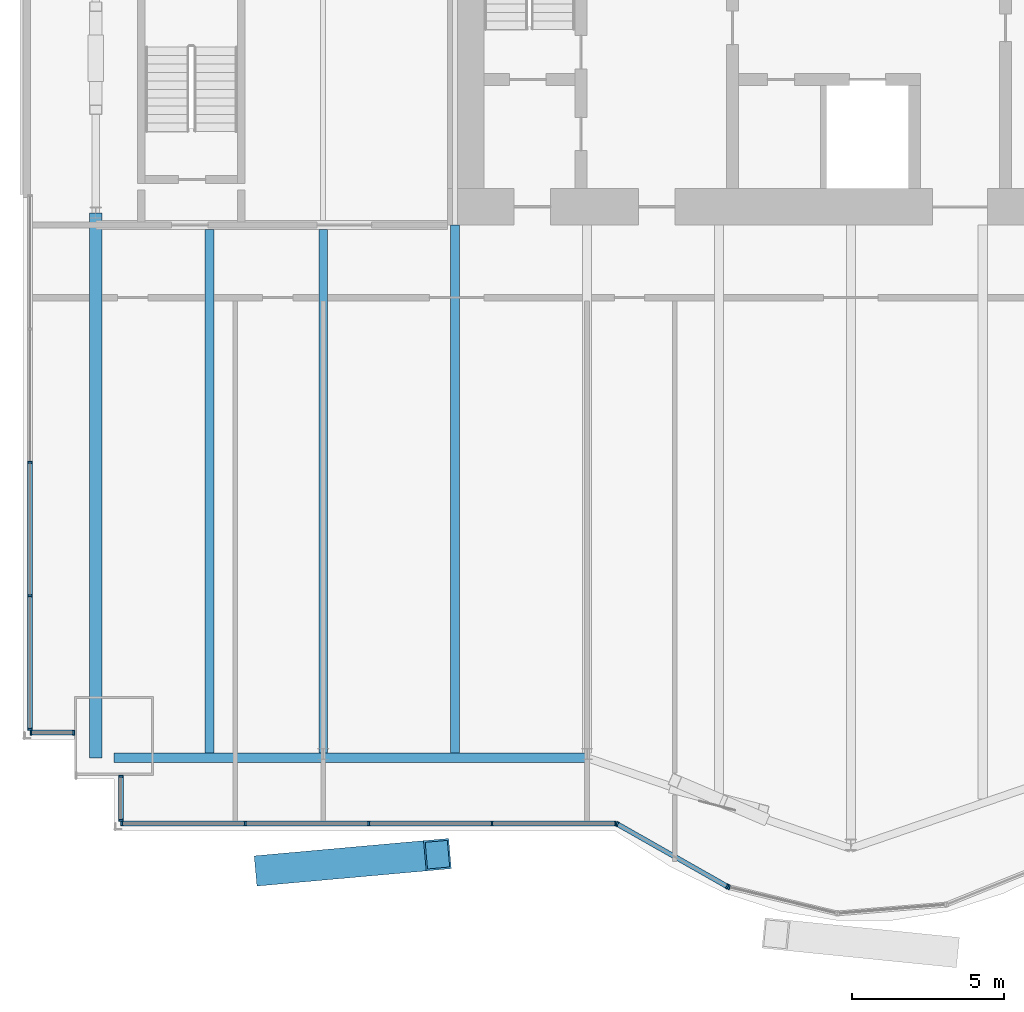
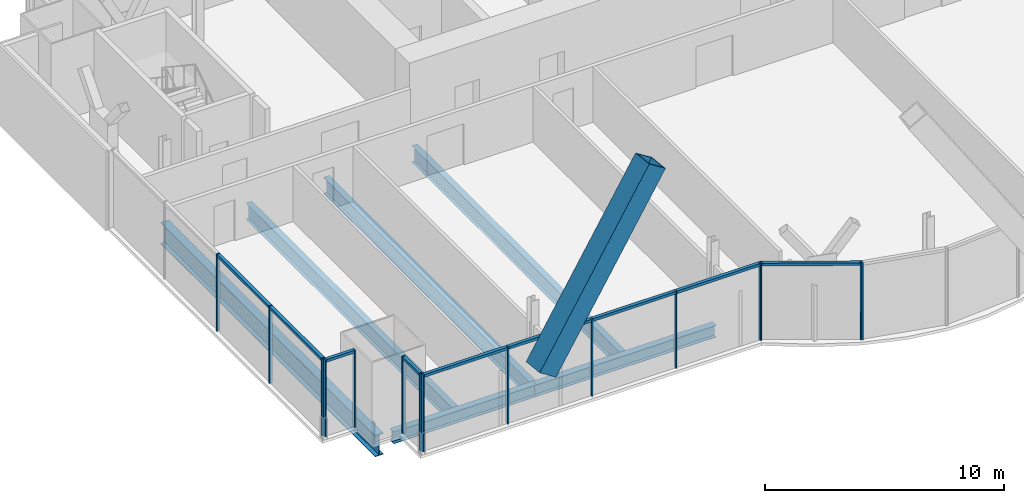
# One storey, part 5 of 21: 25 members, 6 beams, 5 elements without a shape of their own.
"""IFC4 building model written with IfcOpenShell, lengths in metres."""

from ifc_helpers import new_model, si_unit, direction, frame, origin, origin_2d, place, context, subcontext, project, spatial, rectangle, hollow_rectangle, i_section, extrude, material, material_profile, profile_set, type_object, element, aggregate, save


model = new_model("IFC4")

# Units and contexts
model_context = context("Model", 3, precision=1e-05, world=origin(), true_north=direction((0.0, 1.0)))
body_context = subcontext(model_context, "Body", "Model", "MODEL_VIEW")
ifc_project = project(units=[si_unit("LENGTHUNIT", "METRE"), si_unit("AREAUNIT", "SQUARE_METRE"), si_unit("VOLUMEUNIT", "CUBIC_METRE"), si_unit("PLANEANGLEUNIT", "RADIAN"), si_unit("MASSUNIT", "GRAM", prefix="KILO")], contexts=[model_context])

# Site, building, storey
site_placement = place(None, origin())
site = spatial("IfcSite", under=ifc_project, at=site_placement, CompositionType="ELEMENT")
building_placement = place(site_placement, origin())
building = spatial("IfcBuilding", under=site, at=building_placement, Name="Bicima Exchange Tower", CompositionType="ELEMENT")
storey_placement = place(building_placement, frame((0.0, 0.0, 195.0)))
storey = spatial("IfcBuildingStorey", under=building, at=storey_placement, Name="L43", CompositionType="ELEMENT", Elevation=195.0)

# Curtain wall, members
ifc_material_1 = material(Name="Anodised bronze aluminium", Category="aluminium")
curtain_wall_type_1 = type_object("IfcCurtainWallType", Name="End face glass wall", PredefinedType="NOTDEFINED", material=ifc_material_1)
curtain_wall_1_placement = place(storey_placement, origin())
curtain_wall_1 = element("IfcCurtainWall", 1, at=curtain_wall_1_placement, inside=storey, type_object=curtain_wall_type_1, Name="End face glass wall L43 run 2", PredefinedType="NOTDEFINED")
ifc_material_profile_1 = material_profile(ifc_material_1, rectangle(XDim=0.159912109375, YDim=0.06005859375, at=origin_2d()))
ifc_profile_set_1 = profile_set([ifc_material_profile_1], Name="Anodised bronze aluminium")
member_type_1 = type_object("IfcMemberType", Name="End face glass wall mullion 60 x 160", PredefinedType="MULLION", material=ifc_profile_set_1)
member_1_placement = place(storey_placement, frame((-35.77001953125, -20.8310546875, 0.0), z_axis=(0.0, 0.0, 1.0), x_axis=(1.0, 0.0, 0.0)))
member_1 = element("IfcMember", 2, at=member_1_placement, type_object=member_type_1, Name="End face glass wall mullion 3", PredefinedType="MULLION", context=body_context, shape_type="SweptSolid", body=[
    extrude(rectangle(XDim=0.159912109375, YDim=0.06005859375, at=origin_2d()), origin(), (0.0, 0.0, 1.0), 3.949951171875),
])
member_2_placement = place(storey_placement, frame((-35.77001953125, -25.2314453125, 0.0), z_axis=(0.0, 0.0, 1.0), x_axis=(1.0, 0.0, 0.0)))
member_2 = element("IfcMember", 3, at=member_2_placement, type_object=member_type_1, Name="End face glass wall mullion 4", PredefinedType="MULLION", context=body_context, shape_type="SweptSolid", body=[
    extrude(rectangle(XDim=0.159912109375, YDim=0.06005859375, at=origin_2d()), origin(), (0.0, 0.0, 1.0), 3.949951171875),
])
member_3_placement = place(storey_placement, frame((-35.77001953125, -29.632080078125, 0.0), z_axis=(0.0, 0.0, 1.0), x_axis=(1.0, 0.0, 0.0)))
member_3 = element("IfcMember", 4, at=member_3_placement, type_object=member_type_1, Name="End face glass wall mullion 5", PredefinedType="MULLION", context=body_context, shape_type="SweptSolid", body=[
    extrude(rectangle(XDim=0.159912109375, YDim=0.06005859375, at=origin_2d()), origin(), (0.0, 0.0, 1.0), 3.949951171875),
])
ifc_material_profile_2 = material_profile(ifc_material_1, rectangle(XDim=0.159912109375, YDim=0.139892578125, at=origin_2d()))
ifc_profile_set_2 = profile_set([ifc_material_profile_2], Name="Anodised bronze aluminium")
member_type_2 = type_object("IfcMemberType", Name="End face glass wall transom 140 x 160", PredefinedType="USERDEFINED", material=ifc_profile_set_2)
member_4_placement = place(storey_placement, frame((-35.77001953125, -20.861083984375, 3.8798828125), z_axis=(0.0, -1.0, 0.0), x_axis=(1.0, 0.0, 0.0)))
member_4 = element("IfcMember", 5, at=member_4_placement, type_object=member_type_2, Name="End face glass wall transom 3.1", ObjectType="TRANSOM", PredefinedType="USERDEFINED", context=body_context, shape_type="SweptSolid", body=[
    extrude(rectangle(XDim=0.159912109375, YDim=0.139892578125, at=origin_2d()), origin(), (0.0, 0.0, 1.0), 4.34033203125),
])
member_5_placement = place(storey_placement, frame((-35.77001953125, -25.261474609375, 3.8798828125), z_axis=(0.0, -1.0, 0.0), x_axis=(1.0, 0.0, 0.0)))
member_5 = element("IfcMember", 6, at=member_5_placement, type_object=member_type_2, Name="End face glass wall transom 4.1", ObjectType="TRANSOM", PredefinedType="USERDEFINED", context=body_context, shape_type="SweptSolid", body=[
    extrude(rectangle(XDim=0.159912109375, YDim=0.139892578125, at=origin_2d()), origin(), (0.0, 0.0, 1.0), 4.340576171875),
])
aggregate(curtain_wall_1, [member_1, member_2, member_3, member_4, member_5])

# Beam
ifc_material_2 = material(Name="Steel ASTM A992 Gr 50", Category="steel")
ifc_material_profile_3 = material_profile(ifc_material_2, i_section(OverallWidth=0.4013671875, OverallDepth=1.089599609375, WebThickness=0.01806640625, FlangeThickness=0.031005859375, at=origin_2d()))
ifc_profile_set_3 = profile_set([ifc_material_profile_3], Name="Steel ASTM A992 Gr 50")
beam_type_1 = type_object("IfcBeamType", Name="End girder W44x230", PredefinedType="BEAM", material=ifc_profile_set_3)
beam_1_placement = place(storey_placement, frame((-33.60009765625, -12.60009765625, -0.69482421875), z_axis=(0.0, -1.0, 0.0), x_axis=(1.0, 0.0, 0.0)))
element("IfcBeam", 7, at=beam_1_placement, inside=storey, type_object=beam_type_1, Name="End girder", PredefinedType="BEAM", context=body_context, shape_type="SweptSolid", body=[
    extrude(i_section(OverallWidth=0.4013671875, OverallDepth=1.089599609375, WebThickness=0.01806640625, FlangeThickness=0.031005859375, at=origin_2d()), origin(), (0.0, 0.0, 1.0), 17.971923828125),
])

# Member
ifc_material_3 = material(Name="Steel ASTM A572 Gr 50", Category="steel")
ifc_material_profile_4 = material_profile(ifc_material_3, hollow_rectangle(XDim=1.0, YDim=1.0, WallThickness=0.06005859375, at=origin_2d()))
ifc_profile_set_4 = profile_set([ifc_material_profile_4], Name="Steel ASTM A572 Gr 50")
member_type_3 = type_object("IfcMemberType", Name="Exo mega brace BOX 1000x1000x60", PredefinedType="BRACE", material=ifc_profile_set_4)
member_6_placement = place(storey_placement, frame((-27.916748046875, -34.268798828125, 3.416748046875), z_axis=(0.552134579453, 0.049540015612, 0.832281919199), x_axis=(-0.089365532808, 0.995998896358, 0.0)))
element("IfcMember", 8, at=member_6_placement, inside=storey, type_object=member_type_3, Name="Exo mega brace front", PredefinedType="BRACE", context=body_context, shape_type="SweptSolid", body=[
    extrude(hollow_rectangle(XDim=1.0, YDim=1.0, WallThickness=0.06005859375, at=origin_2d()), origin(), (0.0, 0.0, 1.0), 10.112548828125),
])

# Beams
ifc_material_profile_5 = material_profile(ifc_material_2, i_section(OverallWidth=0.2919921875, OverallDepth=0.835693359375, WebThickness=0.013916015625, FlangeThickness=0.018798828125, at=origin_2d()))
ifc_profile_set_5 = profile_set([ifc_material_profile_5], Name="Steel ASTM A992 Gr 50")
beam_type_2 = type_object("IfcBeamType", Name="Floor beam W33x118", PredefinedType="JOIST", material=ifc_profile_set_5)
for number, where, z_axis, x_axis, name in (
    (9, (-29.85009765625, -13.15234375, -0.56787109375), (0.0, -1.0, 0.0), (1.0, 0.0, 0.0), "Floor beam"),
    (10, (-26.10009765625, -13.15234375, -0.56787109375), (0.0, -1.0, 0.0), (1.0, 0.0, 0.0), "Floor beam"),
):
    element("IfcBeam", number, at=place(storey_placement, frame(where, z_axis=z_axis, x_axis=x_axis)), inside=storey, type_object=beam_type_2, Name=name, PredefinedType="JOIST", context=body_context, shape_type="SweptSolid", body=[
        extrude(i_section(OverallWidth=0.2919921875, OverallDepth=0.835693359375, WebThickness=0.013916015625, FlangeThickness=0.018798828125, at=origin_2d()), origin(), (0.0, 0.0, 1.0), 17.257080078125),
    ])
beam_2_placement = place(storey_placement, frame((-21.75, -13.0, -0.56787109375), z_axis=(0.0, -1.0, 0.0), x_axis=(1.0, 0.0, 0.0)))
element("IfcBeam", 11, at=beam_2_placement, inside=storey, type_object=beam_type_2, Name="Floor beam", PredefinedType="JOIST", context=body_context, shape_type="SweptSolid", body=[
    extrude(i_section(OverallWidth=0.2919921875, OverallDepth=0.835693359375, WebThickness=0.013916015625, FlangeThickness=0.018798828125, at=origin_2d()), origin(), (0.0, 0.0, 1.0), 17.409423828125),
])
ifc_material_profile_6 = material_profile(ifc_material_2, i_section(OverallWidth=0.3251953125, OverallDepth=0.612060546875, WebThickness=0.0126953125, FlangeThickness=0.01904296875, at=origin_2d()))
ifc_profile_set_6 = profile_set([ifc_material_profile_6], Name="Steel ASTM A992 Gr 50")
beam_type_3 = type_object("IfcBeamType", Name="Front girder W24x104", PredefinedType="BEAM", material=ifc_profile_set_6)
beam_3_placement = place(storey_placement, frame((-33.0, -30.572021484375, -0.4560546875), z_axis=(1.0, 0.0, 0.0), x_axis=(0.0, 1.0, 0.0)))
element("IfcBeam", 12, at=beam_3_placement, inside=storey, type_object=beam_type_3, Name="Front girder", PredefinedType="BEAM", context=body_context, shape_type="SweptSolid", body=[
    extrude(i_section(OverallWidth=0.3251953125, OverallDepth=0.612060546875, WebThickness=0.0126953125, FlangeThickness=0.01904296875, at=origin_2d()), origin(), (0.0, 0.0, 1.0), 6.89990234375),
])
beam_4_placement = place(storey_placement, frame((-26.10009765625, -30.572021484375, -0.4560546875), z_axis=(1.0, 0.0, 0.0), x_axis=(0.0, 1.0, 0.0)))
element("IfcBeam", 13, at=beam_4_placement, inside=storey, type_object=beam_type_3, Name="Front girder", PredefinedType="BEAM", context=body_context, shape_type="SweptSolid", body=[
    extrude(i_section(OverallWidth=0.3251953125, OverallDepth=0.612060546875, WebThickness=0.0126953125, FlangeThickness=0.01904296875, at=origin_2d()), origin(), (0.0, 0.0, 1.0), 8.7001953125),
])

# Curtain wall, members
curtain_wall_type_2 = type_object("IfcCurtainWallType", Name="Front glass wall", PredefinedType="NOTDEFINED", material=ifc_material_1)
curtain_wall_2_placement = place(storey_placement, origin())
curtain_wall_2 = element("IfcCurtainWall", 14, at=curtain_wall_2_placement, inside=storey, type_object=curtain_wall_type_2, Name="Front glass wall L43 run 3", PredefinedType="NOTDEFINED")
member_type_4 = type_object("IfcMemberType", Name="Front glass wall mullion 60 x 160", PredefinedType="MULLION", material=ifc_profile_set_1)
member_7_placement = place(storey_placement, frame((-35.739990234375, -29.741943359375, 0.0), z_axis=(0.0, 0.0, 1.0), x_axis=(0.0, 1.0, 0.0)))
member_7 = element("IfcMember", 15, at=member_7_placement, type_object=member_type_4, Name="Front glass wall mullion 1", PredefinedType="MULLION", context=body_context, shape_type="SweptSolid", body=[
    extrude(rectangle(XDim=0.159912109375, YDim=0.06005859375, at=origin_2d()), origin(), (0.0, 0.0, 1.0), 3.949951171875),
])
member_8_placement = place(storey_placement, frame((-34.330078125, -29.741943359375, 0.0), z_axis=(0.0, 0.0, 1.0), x_axis=(0.0, 1.0, 0.0)))
member_8 = element("IfcMember", 16, at=member_8_placement, type_object=member_type_4, Name="Front glass wall mullion 2", PredefinedType="MULLION", context=body_context, shape_type="SweptSolid", body=[
    extrude(rectangle(XDim=0.159912109375, YDim=0.06005859375, at=origin_2d()), origin(), (0.0, 0.0, 1.0), 3.949951171875),
])

curtain_wall_3_placement = place(storey_placement, origin())
curtain_wall_3 = element("IfcCurtainWall", 17, at=curtain_wall_3_placement, inside=storey, type_object=curtain_wall_type_2, Name="Front glass wall L43 run 4", PredefinedType="NOTDEFINED")
member_9_placement = place(storey_placement, frame((-32.77001953125, -31.179931640625, 0.0), z_axis=(0.0, 0.0, 1.0), x_axis=(1.0, 0.0, 0.0)))
member_9 = element("IfcMember", 18, at=member_9_placement, type_object=member_type_4, Name="Front glass wall mullion 1", PredefinedType="MULLION", context=body_context, shape_type="SweptSolid", body=[
    extrude(rectangle(XDim=0.159912109375, YDim=0.06005859375, at=origin_2d()), origin(), (0.0, 0.0, 1.0), 3.949951171875),
])
member_10_placement = place(storey_placement, frame((-32.77001953125, -32.632080078125, 0.0), z_axis=(0.0, 0.0, 1.0), x_axis=(1.0, 0.0, 0.0)))
member_10 = element("IfcMember", 19, at=member_10_placement, type_object=member_type_4, Name="Front glass wall mullion 2", PredefinedType="MULLION", context=body_context, shape_type="SweptSolid", body=[
    extrude(rectangle(XDim=0.159912109375, YDim=0.06005859375, at=origin_2d()), origin(), (0.0, 0.0, 1.0), 3.949951171875),
])

curtain_wall_4_placement = place(storey_placement, origin())
curtain_wall_4 = element("IfcCurtainWall", 20, at=curtain_wall_4_placement, inside=storey, type_object=curtain_wall_type_2, Name="Front glass wall L43 run 5", PredefinedType="NOTDEFINED")
member_11_placement = place(storey_placement, frame((-32.739990234375, -32.741943359375, 0.0), z_axis=(0.0, 0.0, 1.0), x_axis=(0.0, 1.0, 0.0)))
member_11 = element("IfcMember", 21, at=member_11_placement, type_object=member_type_4, Name="Front glass wall mullion 1", PredefinedType="MULLION", context=body_context, shape_type="SweptSolid", body=[
    extrude(rectangle(XDim=0.159912109375, YDim=0.06005859375, at=origin_2d()), origin(), (0.0, 0.0, 1.0), 3.949951171875),
])
member_12_placement = place(storey_placement, frame((-28.67041015625, -32.741943359375, 0.0), z_axis=(0.0, 0.0, 1.0), x_axis=(0.0, 1.0, 0.0)))
member_12 = element("IfcMember", 22, at=member_12_placement, type_object=member_type_4, Name="Front glass wall mullion 2", PredefinedType="MULLION", context=body_context, shape_type="SweptSolid", body=[
    extrude(rectangle(XDim=0.159912109375, YDim=0.06005859375, at=origin_2d()), origin(), (0.0, 0.0, 1.0), 3.949951171875),
])
member_13_placement = place(storey_placement, frame((-24.60107421875, -32.741943359375, 0.0), z_axis=(0.0, 0.0, 1.0), x_axis=(0.0, 1.0, 0.0)))
member_13 = element("IfcMember", 23, at=member_13_placement, type_object=member_type_4, Name="Front glass wall mullion 3", PredefinedType="MULLION", context=body_context, shape_type="SweptSolid", body=[
    extrude(rectangle(XDim=0.159912109375, YDim=0.06005859375, at=origin_2d()), origin(), (0.0, 0.0, 1.0), 3.949951171875),
])
member_14_placement = place(storey_placement, frame((-20.531494140625, -32.741943359375, 0.0), z_axis=(0.0, 0.0, 1.0), x_axis=(0.0, 1.0, 0.0)))
member_14 = element("IfcMember", 24, at=member_14_placement, type_object=member_type_4, Name="Front glass wall mullion 4", PredefinedType="MULLION", context=body_context, shape_type="SweptSolid", body=[
    extrude(rectangle(XDim=0.159912109375, YDim=0.06005859375, at=origin_2d()), origin(), (0.0, 0.0, 1.0), 3.949951171875),
])
member_15_placement = place(storey_placement, frame((-16.462158203125, -32.741943359375, 0.0), z_axis=(0.0, 0.0, 1.0), x_axis=(0.0, 1.0, 0.0)))
member_15 = element("IfcMember", 25, at=member_15_placement, type_object=member_type_4, Name="Front glass wall mullion 5", PredefinedType="MULLION", context=body_context, shape_type="SweptSolid", body=[
    extrude(rectangle(XDim=0.159912109375, YDim=0.06005859375, at=origin_2d()), origin(), (0.0, 0.0, 1.0), 3.949951171875),
])

curtain_wall_5_placement = place(storey_placement, origin())
curtain_wall_5 = element("IfcCurtainWall", 26, at=curtain_wall_5_placement, inside=storey, type_object=curtain_wall_type_2, Name="Front glass wall L43 run 6", PredefinedType="NOTDEFINED")
member_16_placement = place(storey_placement, frame((-16.406005859375, -32.7568359375, 0.0), z_axis=(0.0, 0.0, 1.0), x_axis=(0.493395449343, 0.869805110681, 0.0)))
member_16 = element("IfcMember", 27, at=member_16_placement, type_object=member_type_4, Name="Front glass wall mullion 1", PredefinedType="MULLION", context=body_context, shape_type="SweptSolid", body=[
    extrude(rectangle(XDim=0.159912109375, YDim=0.06005859375, at=origin_2d()), origin(), (0.0, 0.0, 1.0), 3.949951171875),
])
member_17_placement = place(storey_placement, frame((-12.7734375, -34.8173828125, 0.0), z_axis=(0.0, 0.0, 1.0), x_axis=(0.493395449343, 0.869805110681, 0.0)))
member_17 = element("IfcMember", 28, at=member_17_placement, type_object=member_type_4, Name="Front glass wall mullion 2", PredefinedType="MULLION", context=body_context, shape_type="SweptSolid", body=[
    extrude(rectangle(XDim=0.159912109375, YDim=0.06005859375, at=origin_2d()), origin(), (0.0, 0.0, 1.0), 3.949951171875),
])
member_18_placement = place(storey_placement, frame((-12.718017578125, -34.83935546875, 0.0), z_axis=(0.0, 0.0, 1.0), x_axis=(0.235681529503, 0.971830343553, 0.0)))
member_18 = element("IfcMember", 29, at=member_18_placement, type_object=member_type_4, Name="Front glass wall mullion 1", PredefinedType="MULLION", context=body_context, shape_type="SweptSolid", body=[
    extrude(rectangle(XDim=0.159912109375, YDim=0.06005859375, at=origin_2d()), origin(), (0.0, 0.0, 1.0), 3.949951171875),
])

# Member
member_type_5 = type_object("IfcMemberType", Name="Front glass wall transom 140 x 160", PredefinedType="USERDEFINED", material=ifc_profile_set_2)
member_19_placement = place(storey_placement, frame((-35.7099609375, -29.741943359375, 3.8798828125), z_axis=(1.0, 0.0, 0.0), x_axis=(0.0, 1.0, 0.0)))
member_19 = element("IfcMember", 30, at=member_19_placement, type_object=member_type_5, Name="Front glass wall transom 1.1", ObjectType="TRANSOM", PredefinedType="USERDEFINED", context=body_context, shape_type="SweptSolid", body=[
    extrude(rectangle(XDim=0.159912109375, YDim=0.139892578125, at=origin_2d()), origin(), (0.0, 0.0, 1.0), 1.349853515625),
])

aggregate(curtain_wall_2, [member_7, member_8, member_19])

member_20_placement = place(storey_placement, frame((-32.77001953125, -31.2099609375, 3.8798828125), z_axis=(0.0, -1.0, 0.0), x_axis=(1.0, 0.0, 0.0)))
member_20 = element("IfcMember", 31, at=member_20_placement, type_object=member_type_5, Name="Front glass wall transom 1.1", ObjectType="TRANSOM", PredefinedType="USERDEFINED", context=body_context, shape_type="SweptSolid", body=[
    extrude(rectangle(XDim=0.159912109375, YDim=0.139892578125, at=origin_2d()), origin(), (0.0, 0.0, 1.0), 1.39208984375),
])

aggregate(curtain_wall_3, [member_9, member_10, member_20])

member_21_placement = place(storey_placement, frame((-32.7099609375, -32.741943359375, 3.8798828125), z_axis=(1.0, 0.0, 0.0), x_axis=(0.0, 1.0, 0.0)))
member_21 = element("IfcMember", 32, at=member_21_placement, type_object=member_type_5, Name="Front glass wall transom 1.1", ObjectType="TRANSOM", PredefinedType="USERDEFINED", context=body_context, shape_type="SweptSolid", body=[
    extrude(rectangle(XDim=0.159912109375, YDim=0.139892578125, at=origin_2d()), origin(), (0.0, 0.0, 1.0), 4.009521484375),
])

member_22_placement = place(storey_placement, frame((-28.640380859375, -32.741943359375, 3.8798828125), z_axis=(1.0, 0.0, 0.0), x_axis=(0.0, 1.0, 0.0)))
member_22 = element("IfcMember", 33, at=member_22_placement, type_object=member_type_5, Name="Front glass wall transom 2.1", ObjectType="TRANSOM", PredefinedType="USERDEFINED", context=body_context, shape_type="SweptSolid", body=[
    extrude(rectangle(XDim=0.159912109375, YDim=0.139892578125, at=origin_2d()), origin(), (0.0, 0.0, 1.0), 4.00927734375),
])

member_23_placement = place(storey_placement, frame((-24.571044921875, -32.741943359375, 3.8798828125), z_axis=(1.0, 0.0, 0.0), x_axis=(0.0, 1.0, 0.0)))
member_23 = element("IfcMember", 34, at=member_23_placement, type_object=member_type_5, Name="Front glass wall transom 3.1", ObjectType="TRANSOM", PredefinedType="USERDEFINED", context=body_context, shape_type="SweptSolid", body=[
    extrude(rectangle(XDim=0.159912109375, YDim=0.139892578125, at=origin_2d()), origin(), (0.0, 0.0, 1.0), 4.009521484375),
])

member_24_placement = place(storey_placement, frame((-20.501708984375, -32.741943359375, 3.8798828125), z_axis=(1.0, 0.0, 0.0), x_axis=(0.0, 1.0, 0.0)))
member_24 = element("IfcMember", 35, at=member_24_placement, type_object=member_type_5, Name="Front glass wall transom 4.1", ObjectType="TRANSOM", PredefinedType="USERDEFINED", context=body_context, shape_type="SweptSolid", body=[
    extrude(rectangle(XDim=0.159912109375, YDim=0.139892578125, at=origin_2d()), origin(), (0.0, 0.0, 1.0), 4.009521484375),
])

aggregate(curtain_wall_4, [member_11, member_12, member_13, member_14, member_15, member_21, member_22, member_23, member_24])

member_25_placement = place(storey_placement, frame((-16.3798828125, -32.771484375, 3.8798828125), z_axis=(0.869797371721, -0.49340909208, 0.0), x_axis=(0.49340909208, 0.869797371721, 0.0)))
member_25 = element("IfcMember", 36, at=member_25_placement, type_object=member_type_5, Name="Front glass wall transom 1.1", ObjectType="TRANSOM", PredefinedType="USERDEFINED", context=body_context, shape_type="SweptSolid", body=[
    extrude(rectangle(XDim=0.159912109375, YDim=0.139892578125, at=origin_2d()), origin(), (0.0, 0.0, 1.0), 4.1162109375),
])

aggregate(curtain_wall_5, [member_16, member_17, member_25, member_18])

save(model, "model.ifc")
